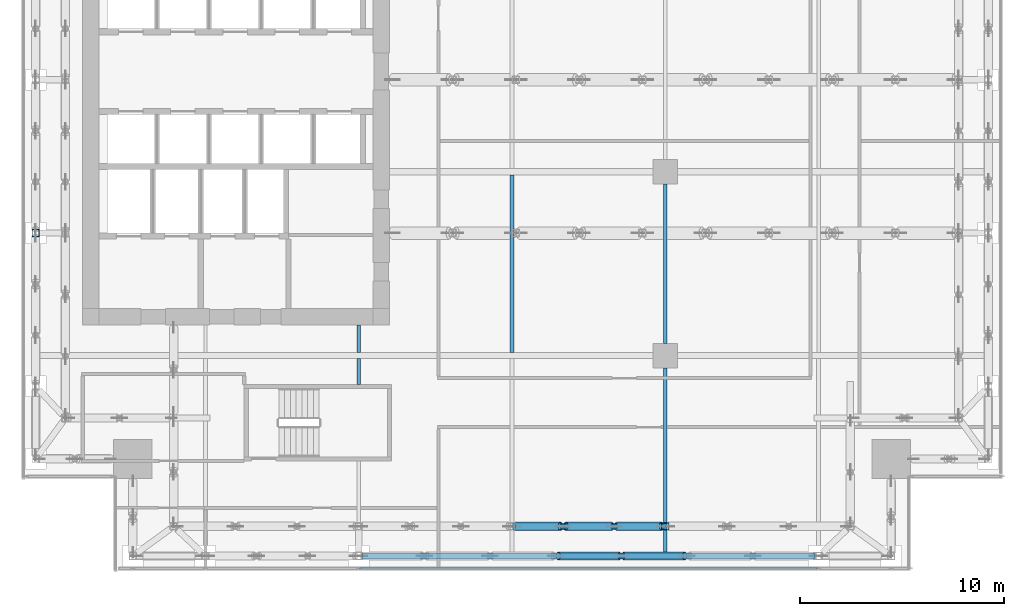
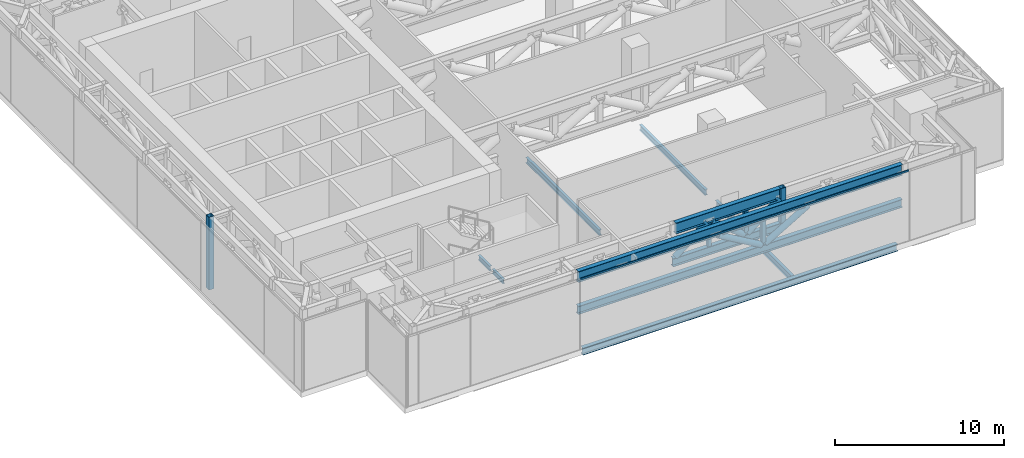
# One storey, part 7 of 36: 15 members, 6 beams, 1 element without a shape of its own.
"""IFC4 building model written with IfcOpenShell, lengths in metres."""

from ifc_helpers import new_model, si_unit, direction, frame, origin, origin_2d, place, context, subcontext, project, spatial, hollow_rectangle, hollow_circle, i_section, extrude, source, transform, mapped, material, material_profile, profile_set, type_object, element, aggregate, save


model = new_model("IFC4")

# Units and contexts
model_context = context("Model", 3, precision=1e-05, world=origin(), true_north=direction((0.0, 1.0)))
body_context = subcontext(model_context, "Body", "Model", "MODEL_VIEW")
ifc_project = project(units=[si_unit("LENGTHUNIT", "METRE"), si_unit("AREAUNIT", "SQUARE_METRE"), si_unit("VOLUMEUNIT", "CUBIC_METRE"), si_unit("PLANEANGLEUNIT", "RADIAN"), si_unit("MASSUNIT", "GRAM", prefix="KILO")], contexts=[model_context])

# Site, building, storey
site_placement = place(None, origin())
site = spatial("IfcSite", under=ifc_project, at=site_placement, CompositionType="ELEMENT")
building_placement = place(site_placement, origin())
building = spatial("IfcBuilding", under=site, at=building_placement, Name="Khomas Fold Tower", CompositionType="ELEMENT")
storey_placement = place(building_placement, frame((0.0, 0.0, 216.699951171875)))
storey = spatial("IfcBuildingStorey", under=building, at=storey_placement, Name="L48", CompositionType="ELEMENT", Elevation=216.699951171875)

# Beams
ifc_material_1 = material(Name="Steel S355", Category="steel")
ifc_material_profile_1 = material_profile(ifc_material_1, i_section(OverallWidth=0.179931640625, OverallDepth=0.39990234375, WebThickness=0.008544921875, FlangeThickness=0.013427734375, at=origin_2d()), Name="IPE 400")
ifc_profile_set_1 = profile_set([ifc_material_profile_1], Name="Steel S355")
beam_type_1 = type_object("IfcBeamType", Name="IPE 400 beam JB3", PredefinedType="BEAM", material=ifc_profile_set_1)
shared_shape_1 = source(origin(), body_context, "Body", "SweptSolid", [
    extrude(i_section(OverallWidth=0.179931640625, OverallDepth=0.39990234375, WebThickness=0.008544921875, FlangeThickness=0.013427734375, at=origin_2d()), origin(), (0.0, 0.0, 1.0), 8.7001953125),
])
beam_1_placement = place(storey_placement, frame((27.0, 13.64990234375, -0.599853515625), z_axis=(0.0, 1.0, 0.0), x_axis=(-1.0, 0.0, 0.0)))
element("IfcBeam", 1, at=beam_1_placement, inside=storey, type_object=beam_type_1, Name="JB3", PredefinedType="BEAM", context=body_context, shape_type="MappedRepresentation", body=[
    mapped(shared_shape_1, transform((0.0, 0.0, 0.0))),
])
ifc_material_2 = material(Name="Steel S355", Category="steel")
ifc_material_profile_2 = material_profile(ifc_material_2, i_section(OverallWidth=0.159912109375, OverallDepth=0.330078125, WebThickness=0.007568359375, FlangeThickness=0.011474609375, at=origin_2d()), Name="IPE 330")
ifc_profile_set_2 = profile_set([ifc_material_profile_2], Name="Steel S355")
beam_type_2 = type_object("IfcBeamType", Name="IPE 330 beam JB1", PredefinedType="BEAM", material=ifc_profile_set_2)
shared_shape_2 = source(origin(), body_context, "Body", "SweptSolid", [
    extrude(i_section(OverallWidth=0.159912109375, OverallDepth=0.330078125, WebThickness=0.007568359375, FlangeThickness=0.011474609375, at=origin_2d()), origin(), (0.0, 0.0, 1.0), 1.25),
])
beam_2_placement = place(storey_placement, frame((19.5, 12.10009765625, -0.56494140625), z_axis=(0.0, 1.0, 0.0), x_axis=(-1.0, 0.0, 0.0)))
element("IfcBeam", 2, at=beam_2_placement, inside=storey, type_object=beam_type_2, Name="JB1", PredefinedType="BEAM", context=body_context, shape_type="MappedRepresentation", body=[
    mapped(shared_shape_2, transform((0.0, 0.0, 0.0))),
])
shared_shape_3 = source(origin(), body_context, "Body", "SweptSolid", [
    extrude(i_section(OverallWidth=0.179931640625, OverallDepth=0.39990234375, WebThickness=0.008544921875, FlangeThickness=0.013427734375, at=origin_2d()), origin(), (0.0, 0.0, 1.0), 7.7998046875),
])
beam_3_placement = place(storey_placement, frame((34.5, 14.10009765625, -0.599853515625), z_axis=(0.0, 1.0, 0.0), x_axis=(-1.0, 0.0, 0.0)))
element("IfcBeam", 3, at=beam_3_placement, inside=storey, type_object=beam_type_1, Name="JB3", PredefinedType="BEAM", context=body_context, shape_type="MappedRepresentation", body=[
    mapped(shared_shape_3, transform((0.0, 0.0, 0.0))),
])
ifc_material_3 = material(Name="Steel S355", Category="steel")
ifc_material_profile_3 = material_profile(ifc_material_3, i_section(OverallWidth=0.300048828125, OverallDepth=0.5, WebThickness=0.014404296875, FlangeThickness=0.028076171875, at=origin_2d()), Name="HE 500 B")
ifc_profile_set_3 = profile_set([ifc_material_profile_3], Name="Steel S355")
beam_type_3 = type_object("IfcBeamType", Name="HE 500 B spandrel SB3", PredefinedType="SPANDREL", material=ifc_profile_set_3)
shared_shape_4 = source(origin(), body_context, "Body", "SweptSolid", [
    extrude(i_section(OverallWidth=0.300048828125, OverallDepth=0.5, WebThickness=0.014404296875, FlangeThickness=0.028076171875, at=origin_2d()), origin(), (0.0, 0.0, 1.0), 21.5),
])
beam_4_placement = place(storey_placement, frame((20.0, 3.699951171875, -0.64990234375), z_axis=(1.0, 0.0, 0.0), x_axis=(0.0, 1.0, 0.0)))
element("IfcBeam", 4, at=beam_4_placement, inside=storey, type_object=beam_type_3, Name="SB3", PredefinedType="SPANDREL", context=body_context, shape_type="MappedRepresentation", body=[
    mapped(shared_shape_4, transform((0.0, 0.0, 0.0))),
])
shared_shape_5 = source(origin(), body_context, "Body", "SweptSolid", [
    extrude(i_section(OverallWidth=0.159912109375, OverallDepth=0.330078125, WebThickness=0.007568359375, FlangeThickness=0.011474609375, at=origin_2d()), origin(), (0.0, 0.0, 1.0), 1.35009765625),
])
beam_5_placement = place(storey_placement, frame((19.5, 13.64990234375, -0.56494140625), z_axis=(0.0, 1.0, 0.0), x_axis=(-1.0, 0.0, 0.0)))
element("IfcBeam", 5, at=beam_5_placement, inside=storey, type_object=beam_type_2, Name="JB1", PredefinedType="BEAM", context=body_context, shape_type="MappedRepresentation", body=[
    mapped(shared_shape_5, transform((0.0, 0.0, 0.0))),
])
ifc_material_4 = material(Name="Steel S355", Category="steel")
ifc_material_profile_4 = material_profile(ifc_material_4, i_section(OverallWidth=0.18994140625, OverallDepth=0.449951171875, WebThickness=0.009521484375, FlangeThickness=0.0146484375, at=origin_2d()), Name="IPE 450")
ifc_profile_set_4 = profile_set([ifc_material_profile_4], Name="Steel S355")
beam_type_4 = type_object("IfcBeamType", Name="IPE 450 beam JB4", PredefinedType="BEAM", material=ifc_profile_set_4)
shared_shape_6 = source(origin(), body_context, "Body", "SweptSolid", [
    extrude(i_section(OverallWidth=0.18994140625, OverallDepth=0.449951171875, WebThickness=0.009521484375, FlangeThickness=0.0146484375, at=origin_2d()), origin(), (0.0, 0.0, 1.0), 9.0498046875),
])
beam_6_placement = place(storey_placement, frame((34.5, 3.85009765625, -0.625), z_axis=(0.0, 1.0, 0.0), x_axis=(-1.0, 0.0, 0.0)))
element("IfcBeam", 6, at=beam_6_placement, inside=storey, type_object=beam_type_4, Name="JB4", PredefinedType="BEAM", context=body_context, shape_type="MappedRepresentation", body=[
    mapped(shared_shape_6, transform((0.0, 0.0, 0.0))),
])

# Members
ifc_material_5 = material(Name="Steel S355", Category="steel")
ifc_material_profile_5 = material_profile(ifc_material_5, i_section(OverallWidth=0.300048828125, OverallDepth=0.7900390625, WebThickness=0.014892578125, FlangeThickness=0.028076171875, at=origin_2d()), Name="HE 800 A")
ifc_profile_set_5 = profile_set([ifc_material_profile_5], Name="Steel S355")
member_type_1 = type_object("IfcMemberType", Name="BELT TRUSS 3 TOP CHORD HE 800 A", PredefinedType="CHORD", material=ifc_profile_set_5)
shared_shape_7 = source(origin(), body_context, "Body", "SweptSolid", [
    extrude(i_section(OverallWidth=0.300048828125, OverallDepth=0.7900390625, WebThickness=0.014892578125, FlangeThickness=0.028076171875, at=origin_2d()), origin(), (0.0, 0.0, 1.0), 7.14990234375),
])
member_1_placement = place(storey_placement, frame((27.175048828125, 5.14990234375, 4.85498046875), z_axis=(1.0, 0.0, 0.0), x_axis=(0.0, 1.0, 0.0)))
element("IfcMember", 7, at=member_1_placement, inside=storey, type_object=member_type_1, Name="BT3-CT", PredefinedType="CHORD", context=body_context, shape_type="MappedRepresentation", body=[
    mapped(shared_shape_7, transform((0.0, 0.0, 0.0))),
])
ifc_material_6 = material(Name="Steel S355", Category="steel")
ifc_material_profile_6 = material_profile(ifc_material_6, hollow_circle(Radius=0.203125, WallThickness=0.012451171875, at=origin_2d()), Name="CHS 406.4x12.5")
ifc_profile_set_6 = profile_set([ifc_material_profile_6], Name="Steel S355")
member_type_2 = type_object("IfcMemberType", Name="BELT TRUSS 3 DIAGONAL CHS 406.4x12.5", PredefinedType="BRACE", material=ifc_profile_set_6)
shared_shape_8 = source(origin(), body_context, "Body", "SweptSolid", [
    extrude(hollow_circle(Radius=0.203125, WallThickness=0.012451171875, at=origin_2d()), origin(), (0.0, 0.0, 1.0), 2.798583984375),
])
for number, where, z_axis, x_axis, name in (
    (8, (27.175048828125, 5.14990234375, 2.735107421875), (0.786067028411, 0.0, 0.618141267709), (0.0, 1.0, 0.0), "BT3-D"),
    (9, (32.125, 5.14990234375, 2.735107421875), (0.786067028411, 0.0, 0.618141267709), (0.0, 1.0, 0.0), "BT3-D"),
):
    element("IfcMember", number, at=place(storey_placement, frame(where, z_axis=z_axis, x_axis=x_axis)), inside=storey, type_object=member_type_2, Name=name, PredefinedType="BRACE", context=body_context, shape_type="MappedRepresentation", body=[
        mapped(shared_shape_8, transform((0.0, 0.0, 0.0))),
    ])
shared_shape_9 = source(origin(), body_context, "Body", "SweptSolid", [
    extrude(hollow_circle(Radius=0.203125, WallThickness=0.012451171875, at=origin_2d()), origin(), (0.0, 0.0, 1.0), 2.838134765625),
])
member_2_placement = place(storey_placement, frame((29.625, 5.14990234375, 4.465087890625), z_axis=(0.792758275848, 0.0, -0.609536148292), x_axis=(0.0, 1.0, 0.0)))
element("IfcMember", 10, at=member_2_placement, inside=storey, type_object=member_type_2, Name="BT3-D", PredefinedType="BRACE", context=body_context, shape_type="MappedRepresentation", body=[
    mapped(shared_shape_9, transform((0.0, 0.0, 0.0))),
])
ifc_material_7 = material(Name="Steel S355", Category="steel")
ifc_material_profile_7 = material_profile(ifc_material_7, hollow_rectangle(XDim=0.25, YDim=0.25, WallThickness=0.01611328125, at=origin_2d()), Name="SHS 250x250x16")
ifc_profile_set_7 = profile_set([ifc_material_profile_7], Name="Steel S355")
member_type_3 = type_object("IfcMemberType", Name="BELT TRUSS 3 MID POST SHS 250x250x16", PredefinedType="POST", material=ifc_profile_set_7)
shared_shape_10 = source(origin(), body_context, "Body", "SweptSolid", [
    extrude(hollow_rectangle(XDim=0.25, YDim=0.25, WallThickness=0.01611328125, at=origin_2d()), origin(), (0.0, 0.0, 1.0), 1.719970703125),
])
for number, where, z_axis, x_axis, name in (
    (11, (32.357177734375, 3.699951171875, 2.739990234375), (0.0, 0.0, 1.0), (1.0, 0.0, 0.0), "BT3-M"),
    (12, (29.5, 5.14990234375, 2.739990234375), (0.0, 0.0, 1.0), (1.0, 0.0, 0.0), "BT3-M"),
    (13, (32.0, 5.14990234375, 2.739990234375), (0.0, 0.0, 1.0), (1.0, 0.0, 0.0), "BT3-M"),
):
    element("IfcMember", number, at=place(storey_placement, frame(where, z_axis=z_axis, x_axis=x_axis)), inside=storey, type_object=member_type_3, Name=name, PredefinedType="POST", context=body_context, shape_type="MappedRepresentation", body=[
        mapped(shared_shape_10, transform((0.0, 0.0, 0.0))),
    ])
ifc_material_8 = material(Name="Steel S355", Category="steel")
ifc_material_profile_8 = material_profile(ifc_material_8, i_section(OverallWidth=0.300048828125, OverallDepth=0.7900390625, WebThickness=0.014892578125, FlangeThickness=0.028076171875, at=origin_2d()), Name="HE 800 A")
ifc_profile_set_8 = profile_set([ifc_material_profile_8], Name="Steel S355")
member_type_4 = type_object("IfcMemberType", Name="BELT TRUSS 3 TOP CHORD LONGER HE 800 A", PredefinedType="CHORD", material=ifc_profile_set_8)
shared_shape_11 = source(origin(), body_context, "Body", "SweptSolid", [
    extrude(i_section(OverallWidth=0.300048828125, OverallDepth=0.7900390625, WebThickness=0.014892578125, FlangeThickness=0.028076171875, at=origin_2d()), origin(), (0.0, 0.0, 1.0), 22.14990234375),
])
member_3_placement = place(storey_placement, frame((19.675048828125, 3.699951171875, 4.85498046875), z_axis=(1.0, 0.0, 0.0), x_axis=(0.0, 1.0, 0.0)))
element("IfcMember", 14, at=member_3_placement, inside=storey, type_object=member_type_4, Name="BT3-CTLL", PredefinedType="CHORD", context=body_context, shape_type="MappedRepresentation", body=[
    mapped(shared_shape_11, transform((0.0, 0.0, 0.0))),
])
ifc_material_9 = material(Name="Steel S355", Category="steel")
ifc_material_profile_9 = material_profile(ifc_material_9, i_section(OverallWidth=0.300048828125, OverallDepth=0.590087890625, WebThickness=0.012939453125, FlangeThickness=0.02490234375, at=origin_2d()), Name="HE 600 A")
ifc_profile_set_9 = profile_set([ifc_material_profile_9], Name="Steel S355")
member_type_5 = type_object("IfcMemberType", Name="BELT TRUSS 3 BOTTOM CHORD LONGER HE 600 A", PredefinedType="CHORD", material=ifc_profile_set_9)
shared_shape_12 = source(origin(), body_context, "Body", "SweptSolid", [
    extrude(i_section(OverallWidth=0.300048828125, OverallDepth=0.590087890625, WebThickness=0.012939453125, FlangeThickness=0.02490234375, at=origin_2d()), origin(), (0.0, 0.0, 1.0), 22.14990234375),
])
member_4_placement = place(storey_placement, frame((19.675048828125, 3.699951171875, 2.445068359375), z_axis=(1.0, 0.0, 0.0), x_axis=(0.0, 1.0, 0.0)))
element("IfcMember", 15, at=member_4_placement, inside=storey, type_object=member_type_5, Name="BT3-CBLL", PredefinedType="CHORD", context=body_context, shape_type="MappedRepresentation", body=[
    mapped(shared_shape_12, transform((0.0, 0.0, 0.0))),
])
shared_shape_13 = source(origin(), body_context, "Body", "SweptSolid", [
    extrude(hollow_circle(Radius=0.203125, WallThickness=0.012451171875, at=origin_2d()), origin(), (0.0, 0.0, 1.0), 3.43212890625),
])
for number, where, z_axis, x_axis, name in (
    (16, (29.267822265625, 3.699951171875, 4.465087890625), (0.863680848141, 0.0, -0.5040390784), (0.0, 1.0, 0.0), "BT3-D"),
    (17, (32.482177734375, 3.699951171875, 2.735107421875), (0.863680848141, 0.0, 0.5040390784), (0.0, 1.0, 0.0), "BT3-D"),
):
    element("IfcMember", number, at=place(storey_placement, frame(where, z_axis=z_axis, x_axis=x_axis)), inside=storey, type_object=member_type_2, Name=name, PredefinedType="BRACE", context=body_context, shape_type="MappedRepresentation", body=[
        mapped(shared_shape_13, transform((0.0, 0.0, 0.0))),
    ])
ifc_material_10 = material(Name="Steel S355", Category="steel")
ifc_material_profile_10 = material_profile(ifc_material_10, i_section(OverallWidth=0.300048828125, OverallDepth=0.590087890625, WebThickness=0.012939453125, FlangeThickness=0.02490234375, at=origin_2d()), Name="HE 600 A")
ifc_profile_set_10 = profile_set([ifc_material_profile_10], Name="Steel S355")
member_type_6 = type_object("IfcMemberType", Name="BELT TRUSS 3 BOTTOM CHORD HE 600 A", PredefinedType="CHORD", material=ifc_profile_set_10)
shared_shape_14 = source(origin(), body_context, "Body", "SweptSolid", [
    extrude(i_section(OverallWidth=0.300048828125, OverallDepth=0.590087890625, WebThickness=0.012939453125, FlangeThickness=0.02490234375, at=origin_2d()), origin(), (0.0, 0.0, 1.0), 7.5),
])
member_5_placement = place(storey_placement, frame((27.0, 5.14990234375, 2.445068359375), z_axis=(1.0, 0.0, 0.0), x_axis=(0.0, 1.0, 0.0)))
element("IfcMember", 18, at=member_5_placement, inside=storey, type_object=member_type_6, Name="BT3-CB", PredefinedType="CHORD", context=body_context, shape_type="MappedRepresentation", body=[
    mapped(shared_shape_14, transform((0.0, 0.0, 0.0))),
])
ifc_material_11 = material(Name="Steel S355", Category="steel")
ifc_material_profile_11 = material_profile(ifc_material_11, hollow_rectangle(XDim=0.35009765625, YDim=0.35009765625, WallThickness=0.01611328125, at=origin_2d()), Name="SHS 350x350x16")
ifc_profile_set_11 = profile_set([ifc_material_profile_11], Name="Steel S355")
member_type_7 = type_object("IfcMemberType", Name="BELT TRUSS 3 COLUMN POST SHS 350x350x16", PredefinedType="POST", material=ifc_profile_set_11)
shared_shape_15 = source(origin(), body_context, "Body", "SweptSolid", [
    extrude(hollow_rectangle(XDim=0.35009765625, YDim=0.35009765625, WallThickness=0.01611328125, at=origin_2d()), origin(), (0.0, 0.0, 1.0), 5.25),
])
member_6_placement = place(storey_placement, frame((3.699951171875, 19.5, 0.0), z_axis=(0.0, 0.0, 1.0), x_axis=(1.0, 0.0, 0.0)))
element("IfcMember", 19, at=member_6_placement, inside=storey, type_object=member_type_7, Name="BT3-P", PredefinedType="POST", context=body_context, shape_type="MappedRepresentation", body=[
    mapped(shared_shape_15, transform((0.0, 0.0, 0.0))),
])
ifc_material_12 = material(Name="Steel S355", Category="steel")
ifc_material_profile_12 = material_profile(ifc_material_12, hollow_rectangle(XDim=0.35009765625, YDim=0.35009765625, WallThickness=0.01611328125, at=origin_2d()), Name="SHS 350x350x16")
ifc_profile_set_12 = profile_set([ifc_material_profile_12], Name="Steel S355")
member_type_8 = type_object("IfcMemberType", Name="BELT TRUSS 3 COLUMN POST SHORT SHS 350x350x16", PredefinedType="POST", material=ifc_profile_set_12)
shared_shape_16 = source(origin(), body_context, "Body", "SweptSolid", [
    extrude(hollow_rectangle(XDim=0.35009765625, YDim=0.35009765625, WallThickness=0.01611328125, at=origin_2d()), origin(), (0.0, 0.0, 1.0), 2.510009765625),
])
member_7_placement = place(storey_placement, frame((34.5, 5.14990234375, 2.739990234375), z_axis=(0.0, 0.0, 1.0), x_axis=(1.0, 0.0, 0.0)))
element("IfcMember", 20, at=member_7_placement, inside=storey, type_object=member_type_8, Name="BT3-PS", PredefinedType="POST", context=body_context, shape_type="MappedRepresentation", body=[
    mapped(shared_shape_16, transform((0.0, 0.0, 0.0))),
])

# Curtain wall, member
ifc_material_13 = material(Name="Aluminium framed double glazing", Category="aluminium")
curtain_wall_type = type_object("IfcCurtainWallType", Name="SK-Plant louvre wall CW4", PredefinedType="NOTDEFINED", material=ifc_material_13)
curtain_wall_placement = place(storey_placement, origin())
curtain_wall = element("IfcCurtainWall", 21, at=curtain_wall_placement, inside=storey, type_object=curtain_wall_type, Name="CW4 run L48 00-0", PredefinedType="NOTDEFINED")
ifc_material_14 = material(Name="Aluminium", Category="aluminium")
ifc_material_profile_13 = material_profile(ifc_material_14, hollow_rectangle(XDim=0.06005859375, YDim=0.1201171875, WallThickness=0.00390625, at=origin_2d()), Name="SK-Plant louvre wall transom CW4-T")
ifc_profile_set_13 = profile_set([ifc_material_profile_13], Name="Aluminium")
member_type_9 = type_object("IfcMemberType", Name="SK-Plant louvre wall transom CW4-T", PredefinedType="USERDEFINED", material=ifc_profile_set_13)
shared_shape_17 = source(origin(), body_context, "Body", "SweptSolid", [
    extrude(hollow_rectangle(XDim=0.06005859375, YDim=0.1201171875, WallThickness=0.00390625, at=origin_2d()), origin(), (0.0, 0.0, 1.0), 22.43994140625),
])
member_8_placement = place(storey_placement, frame((19.530029296875, 3.10009765625, 5.0400390625), z_axis=(1.0, 0.0, 0.0), x_axis=(0.0, 1.0, 0.0)))
member_8 = element("IfcMember", 22, at=member_8_placement, type_object=member_type_9, Name="CW4 transom 4", ObjectType="TRANSOM", PredefinedType="USERDEFINED", context=body_context, shape_type="MappedRepresentation", body=[
    mapped(shared_shape_17, transform((0.0, 0.0, 0.0))),
])
aggregate(curtain_wall, [member_8])

save(model, "model.ifc")
